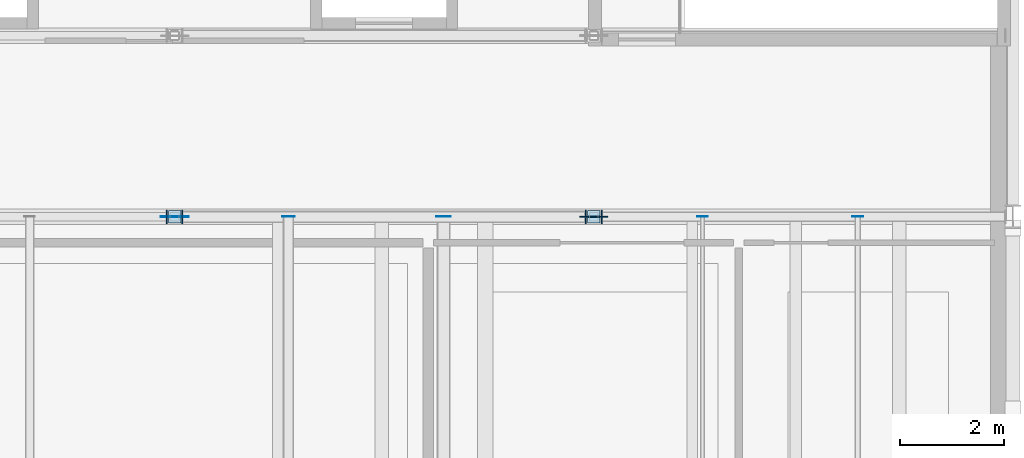
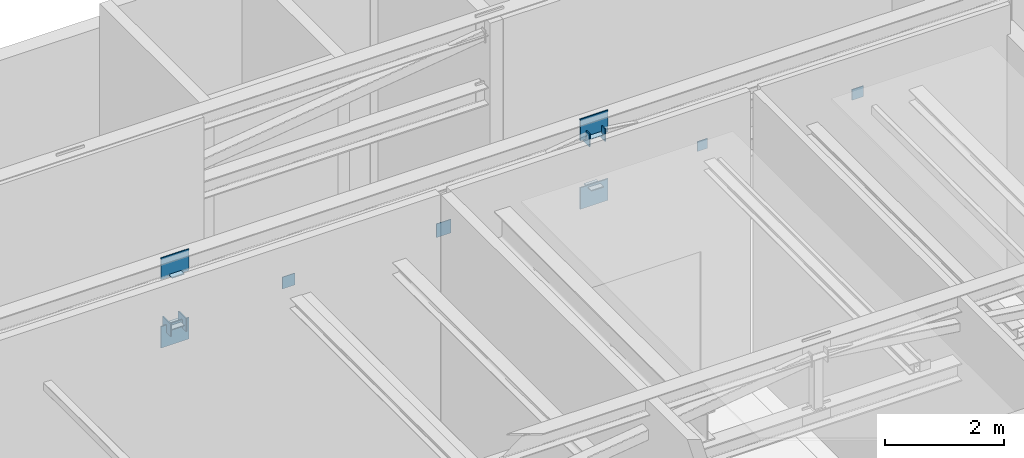
# One storey, part 16 of 21: 16 plates.
"""IFC4 building model written with IfcOpenShell, lengths in metres."""

from ifc_helpers import new_model, si_unit, direction, frame, origin, origin_2d, place, context, subcontext, project, spatial, rectangle, extrude, material, layer, layer_set, type_object, element, save


model = new_model("IFC4")

# Units and contexts
model_context = context("Model", 3, precision=1e-05, world=origin(), true_north=direction((0.0, 1.0)))
body_context = subcontext(model_context, "Body", "Model", "MODEL_VIEW")
ifc_project = project(units=[si_unit("LENGTHUNIT", "METRE"), si_unit("AREAUNIT", "SQUARE_METRE"), si_unit("VOLUMEUNIT", "CUBIC_METRE"), si_unit("PLANEANGLEUNIT", "RADIAN"), si_unit("MASSUNIT", "GRAM", prefix="KILO")], contexts=[model_context])

# Site, building, storey
site_placement = place(None, origin())
site = spatial("IfcSite", under=ifc_project, at=site_placement, CompositionType="ELEMENT")
building_placement = place(site_placement, origin())
building = spatial("IfcBuilding", under=site, at=building_placement, Name="Kaelora Sail Theatre", CompositionType="ELEMENT")
storey_placement = place(building_placement, frame((0.0, 0.0, 27.60009765625)))
storey = spatial("IfcBuildingStorey", under=building, at=storey_placement, Name="L06", CompositionType="ELEMENT", Elevation=27.60009765625)

# Plates
ifc_material_1 = material(Name="Steel S355", Category="steel")
ifc_layer_1 = layer(ifc_material_1, 0.014892578125)
ifc_layer_set_1 = layer_set([ifc_layer_1], Name="Steel S355")
plate_type_1 = type_object("IfcPlateType", Name="STR-PL-EP-15", PredefinedType="SHEET", material=ifc_layer_set_1)
for number, where, z_axis, x_axis, name in (
    (1, (42.0, 75.89990234375, 4.41552734375), (0.0, 0.0, 1.0), (1.0, 0.0, 0.0), "TVT-01 Fly Tower truss 3 vertical strut 2 end cap plate A"),
    (2, (42.0, 75.89990234375, 5.46923828125), (0.0, 0.0, 1.0), (1.0, 0.0, 0.0), "TVT-01 Fly Tower truss 3 vertical strut 2 end cap plate B"),
    (3, (50.10009765625, 75.89990234375, 4.41552734375), (0.0, 0.0, 1.0), (1.0, 0.0, 0.0), "TVT-01 Fly Tower truss 3 vertical strut 3 end cap plate A"),
    (4, (50.10009765625, 75.89990234375, 5.46923828125), (0.0, 0.0, 1.0), (1.0, 0.0, 0.0), "TVT-01 Fly Tower truss 3 vertical strut 3 end cap plate B"),
):
    element("IfcPlate", number, at=place(storey_placement, frame(where, z_axis=z_axis, x_axis=x_axis)), inside=storey, type_object=plate_type_1, Name=name, PredefinedType="SHEET", context=body_context, shape_type="SweptSolid", body=[
        extrude(rectangle(XDim=0.239990234375, YDim=0.239990234375, at=origin_2d()), origin(), (0.0, 0.0, 1.0), 0.014892578125),
    ])
plate_1_placement = place(storey_placement, frame((44.199951171875, 75.90673828125, 4.40966796875), z_axis=(0.0, 0.0, 1.0), x_axis=(0.0, 1.0, 0.0)))
element("IfcPlate", 5, at=plate_1_placement, inside=storey, type_object=plate_type_1, Name="HTB-01 Fly Tower headblock tie brace 06 end cap plate B", PredefinedType="SHEET", context=body_context, shape_type="SweptSolid", body=[
    extrude(rectangle(XDim=0.014892578125, YDim=0.239990234375, at=origin_2d()), origin(), (0.0, 0.0, 1.0), 0.239990234375),
])
plate_2_placement = place(storey_placement, frame((47.199951171875, 75.90673828125, 4.4150390625), z_axis=(0.0, 0.0, 1.0), x_axis=(0.0, 1.0, 0.0)))
element("IfcPlate", 6, at=plate_2_placement, inside=storey, type_object=plate_type_1, Name="HTB-01 Fly Tower headblock tie brace 07 end cap plate B", PredefinedType="SHEET", context=body_context, shape_type="SweptSolid", body=[
    extrude(rectangle(XDim=0.014892578125, YDim=0.280029296875, at=origin_2d()), origin(), (0.0, 0.0, 1.0), 0.280029296875),
])
plate_3_placement = place(storey_placement, frame((52.199951171875, 75.90673828125, 4.41015625), z_axis=(0.0, 0.0, 1.0), x_axis=(0.0, 1.0, 0.0)))
element("IfcPlate", 7, at=plate_3_placement, inside=storey, type_object=plate_type_1, Name="HTB-01 Fly Tower headblock tie brace 08 end cap plate B", PredefinedType="SHEET", context=body_context, shape_type="SweptSolid", body=[
    extrude(rectangle(XDim=0.014892578125, YDim=0.199951171875, at=origin_2d()), origin(), (0.0, 0.0, 1.0), 0.199951171875),
])
plate_4_placement = place(storey_placement, frame((55.199951171875, 75.90673828125, 4.41015625), z_axis=(0.0, 0.0, 1.0), x_axis=(0.0, 1.0, 0.0)))
element("IfcPlate", 8, at=plate_4_placement, inside=storey, type_object=plate_type_1, Name="HTB-01 Fly Tower headblock tie brace 09 end cap plate B", PredefinedType="SHEET", context=body_context, shape_type="SweptSolid", body=[
    extrude(rectangle(XDim=0.014892578125, YDim=0.219970703125, at=origin_2d()), origin(), (0.0, 0.0, 1.0), 0.219970703125),
])
ifc_material_2 = material(Name="Steel S355", Category="steel")
ifc_layer_2 = layer(ifc_material_2, 0.02001953125)
ifc_layer_set_2 = layer_set([ifc_layer_2], Name="Steel S355")
plate_type_2 = type_object("IfcPlateType", Name="STR-PL-EP-20", PredefinedType="SHEET", material=ifc_layer_set_2)
for number, where, z_axis, x_axis, name in (
    (9, (41.848876953125, 75.89990234375, 4.298828125), (0.0, 0.0, 1.0), (1.0, 0.0, 0.0), "TDG-01 Fly Tower truss 3 web diagonal 2 end cap plate B"),
    (10, (42.151123046875, 75.89990234375, 4.298828125), (0.0, 0.0, 1.0), (1.0, 0.0, 0.0), "TDG-01 Fly Tower truss 3 web diagonal 3 end cap plate A"),
    (11, (49.948974609375, 75.89990234375, 5.34130859375), (0.0, 0.0, 1.0), (1.0, 0.0, 0.0), "TDG-01 Fly Tower truss 3 web diagonal 3 end cap plate B"),
    (12, (50.2509765625, 75.89990234375, 5.34130859375), (0.0, 0.0, 1.0), (1.0, 0.0, 0.0), "TDG-01 Fly Tower truss 3 web diagonal 4 end cap plate A"),
):
    element("IfcPlate", number, at=place(storey_placement, frame(where, z_axis=z_axis, x_axis=x_axis)), inside=storey, type_object=plate_type_2, Name=name, PredefinedType="SHEET", context=body_context, shape_type="SweptSolid", body=[
        extrude(rectangle(XDim=0.02001953125, YDim=0.260009765625, at=origin_2d()), origin(), (0.0, 0.0, 1.0), 0.260009765625),
    ])
ifc_material_3 = material(Name="Steel S355", Category="steel")
ifc_layer_3 = layer(ifc_material_3, 0.01806640625)
ifc_layer_set_3 = layer_set([ifc_layer_3], Name="Steel S355")
plate_type_3 = type_object("IfcPlateType", Name="STR-PL-GP-18", PredefinedType="USERDEFINED", material=ifc_layer_set_3)
for number, where, z_axis, x_axis, name in (
    (13, (42.0, 75.89990234375, 4.030029296875), (0.0, 0.0, 1.0), (1.0, 0.0, 0.0), "Fly Tower truss node gusset plate T3-N2B"),
    (14, (42.0, 75.89990234375, 5.429931640625), (0.0, 0.0, 1.0), (1.0, 0.0, 0.0), "Fly Tower truss node gusset plate T3-N2T"),
):
    element("IfcPlate", number, at=place(storey_placement, frame(where, z_axis=z_axis, x_axis=x_axis)), inside=storey, type_object=plate_type_3, Name=name, ObjectType="GUSSET PLATE", PredefinedType="USERDEFINED", context=body_context, shape_type="SweptSolid", body=[
        extrude(rectangle(XDim=0.5400390625, YDim=0.01806640625, at=origin_2d()), origin(), (0.0, 0.0, 1.0), 0.43994140625),
    ])
ifc_material_4 = material(Name="Steel S355", Category="steel")
ifc_layer_4 = layer(ifc_material_4, 0.02392578125)
ifc_layer_set_4 = layer_set([ifc_layer_4], Name="Steel S355")
plate_type_4 = type_object("IfcPlateType", Name="STR-PL-GP-24", PredefinedType="USERDEFINED", material=ifc_layer_set_4)
for number, where, z_axis, x_axis, name in (
    (15, (50.10009765625, 75.89990234375, 4.030029296875), (0.0, 0.0, 1.0), (1.0, 0.0, 0.0), "Fly Tower truss node gusset plate T3-N3B"),
    (16, (50.10009765625, 75.89990234375, 5.429931640625), (0.0, 0.0, 1.0), (1.0, 0.0, 0.0), "Fly Tower truss node gusset plate T3-N3T"),
):
    element("IfcPlate", number, at=place(storey_placement, frame(where, z_axis=z_axis, x_axis=x_axis)), inside=storey, type_object=plate_type_4, Name=name, ObjectType="GUSSET PLATE", PredefinedType="USERDEFINED", context=body_context, shape_type="SweptSolid", body=[
        extrude(rectangle(XDim=0.5400390625, YDim=0.02392578125, at=origin_2d()), origin(), (0.0, 0.0, 1.0), 0.43994140625),
    ])

save(model, "model.ifc")
